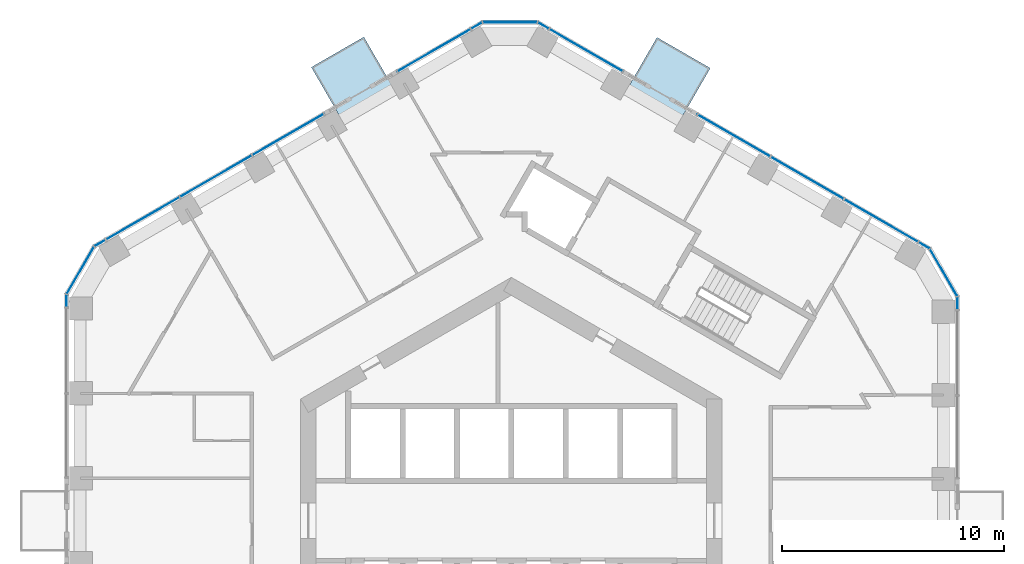
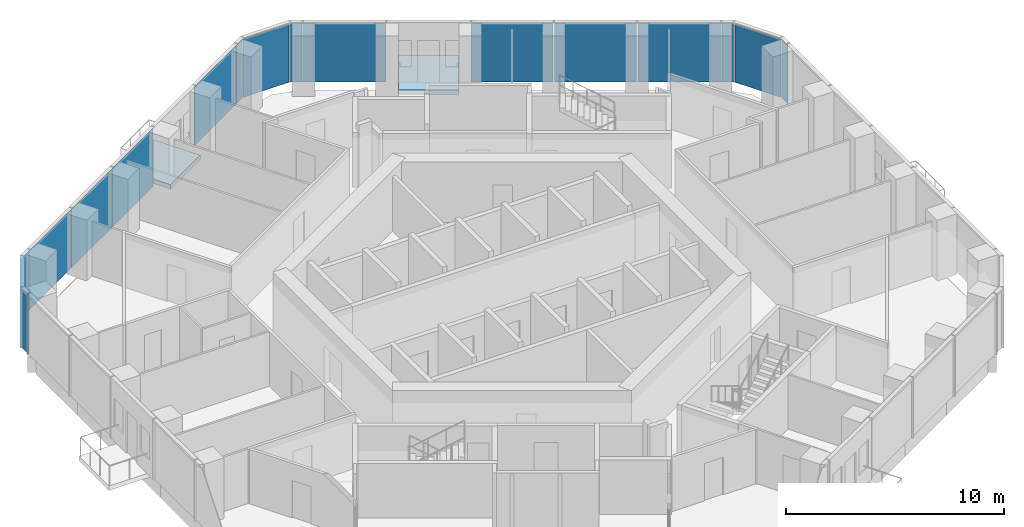
# One storey, part 12 of 20: 17 plates, 2 slabs, 7 elements without a shape of their own.
"""IFC4 building model written with IfcOpenShell, lengths in metres."""

from ifc_helpers import new_model, si_unit, direction, frame, origin, origin_2d, place, context, subcontext, project, spatial, polyline, rectangle, outline, extrude, material, layer, layer_set, type_object, element, aggregate, save


model = new_model("IFC4")

# Units and contexts
model_context = context("Model", 3, precision=1e-05, world=origin(), true_north=direction((0.0, 1.0)))
body_context = subcontext(model_context, "Body", "Model", "MODEL_VIEW")
ifc_project = project(units=[si_unit("LENGTHUNIT", "METRE"), si_unit("AREAUNIT", "SQUARE_METRE"), si_unit("VOLUMEUNIT", "CUBIC_METRE"), si_unit("PLANEANGLEUNIT", "RADIAN"), si_unit("MASSUNIT", "GRAM", prefix="KILO")], contexts=[model_context])

# Site, building, storey
site_placement = place(None, origin())
site = spatial("IfcSite", under=ifc_project, at=site_placement, CompositionType="ELEMENT")
building_placement = place(site_placement, origin())
building = spatial("IfcBuilding", under=site, at=building_placement, Name="Ayvan Gate Tower", CompositionType="ELEMENT")
storey_placement = place(building_placement, frame((0.0, 0.0, 86.5)))
storey = spatial("IfcBuildingStorey", under=building, at=storey_placement, Name="L22", CompositionType="ELEMENT", Elevation=86.5)

# Slabs
ifc_material_1 = material(Name="Concrete C40/50", Category="concrete")
ifc_layer_1 = layer(ifc_material_1, 0.25)
ifc_layer_set_1 = layer_set([ifc_layer_1], Name="Concrete C40/50")
slab_type = type_object("IfcSlabType", Name="Balcony slab 250", PredefinedType="FLOOR", material=ifc_layer_set_1)
slab_1_placement = place(storey_placement, frame((0.0, 0.0, -0.25)))
element("IfcSlab", 1, at=slab_1_placement, inside=storey, type_object=slab_type, Name="Balcony slab BAL-L22-2", PredefinedType="FLOOR", context=body_context, shape_type="SweptSolid", body=[
    extrude(outline(polyline([(-5.287353515625, 19.447265625), (-7.6513671875, 18.08251953125), (-9.013916015625, 20.4423828125), (-6.64990234375, 21.80712890625), (-5.287353515625, 19.447265625)])), origin(), (0.0, 0.0, 1.0), 0.25),
])
slab_2_placement = place(storey_placement, frame((0.0, 0.0, -0.25)))
element("IfcSlab", 2, at=slab_2_placement, inside=storey, type_object=slab_type, Name="Balcony slab BAL-L22-1", PredefinedType="FLOOR", context=body_context, shape_type="SweptSolid", body=[
    extrude(outline(polyline([(7.60400390625, 18.041259765625), (5.204345703125, 19.4267578125), (6.56689453125, 21.78662109375), (8.966552734375, 20.401123046875), (7.60400390625, 18.041259765625)])), origin(), (0.0, 0.0, 1.0), 0.25),
])

# Curtain wall, plate
ifc_material_2 = material(Name="Bronze anodised aluminium", Category="aluminium")
ifc_layer_2 = layer(ifc_material_2, 0.199951171875)
ifc_layer_set_2 = layer_set([ifc_layer_2], Name="Bronze anodised aluminium")
curtain_wall_type_1 = type_object("IfcCurtainWallType", Name="Stick curtain wall CW-1", PredefinedType="NOTDEFINED", material=ifc_layer_set_2)
curtain_wall_1_placement = place(storey_placement, origin())
curtain_wall_1 = element("IfcCurtainWall", 3, at=curtain_wall_1_placement, inside=storey, type_object=curtain_wall_type_1, Name="Stick curtain wall CW-1 L22", PredefinedType="NOTDEFINED")
ifc_material_3 = material(Name="Clear low-iron laminated glass", Category="glass")
ifc_layer_3 = layer(ifc_material_3, 0.028076171875)
ifc_layer_set_3 = layer_set([ifc_layer_3], Name="Clear low-iron laminated glass")
plate_type_1 = type_object("IfcPlateType", Name="Stick curtain wall CW-1 glass panel", PredefinedType="CURTAIN_PANEL", material=ifc_layer_set_3)
plate_1_placement = place(storey_placement, frame((-3.48193359375, 21.21142578125, 0.0), z_axis=(0.0, 0.0, 1.0), x_axis=(-0.866025403784, -0.5, 0.0)))
plate_1 = element("IfcPlate", 4, at=plate_1_placement, type_object=plate_type_1, Name="CW-1 glass panel 1", PredefinedType="CURTAIN_PANEL", context=body_context, shape_type="SweptSolid", body=[
    extrude(rectangle(XDim=3.822998046875, YDim=0.028076171875, at=origin_2d()), origin(), (0.0, 0.0, 1.0), 3.280029296875),
])
aggregate(curtain_wall_1, [plate_1])

# Curtain wall, plates
curtain_wall_2_placement = place(storey_placement, origin())
curtain_wall_2 = element("IfcCurtainWall", 5, at=curtain_wall_2_placement, inside=storey, type_object=curtain_wall_type_1, Name="Stick curtain wall CW-1 L22", PredefinedType="NOTDEFINED")
plate_2_placement = place(storey_placement, frame((-10.0556640625, 17.416015625, 0.0), z_axis=(0.0, 0.0, 1.0), x_axis=(-0.866025403784, -0.5, 0.0)))
plate_2 = element("IfcPlate", 6, at=plate_2_placement, type_object=plate_type_1, Name="CW-1 glass panel 1", PredefinedType="CURTAIN_PANEL", context=body_context, shape_type="SweptSolid", body=[
    extrude(rectangle(XDim=3.7060546875, YDim=0.028076171875, at=origin_2d()), origin(), (0.0, 0.0, 1.0), 3.280029296875),
])
plate_3_placement = place(storey_placement, frame((-13.31689453125, 15.533203125, 0.0), z_axis=(0.0, 0.0, 1.0), x_axis=(-0.866025403784, -0.5, 0.0)))
plate_3 = element("IfcPlate", 7, at=plate_3_placement, type_object=plate_type_1, Name="CW-1 glass panel 2", PredefinedType="CURTAIN_PANEL", context=body_context, shape_type="SweptSolid", body=[
    extrude(rectangle(XDim=3.7060546875, YDim=0.028076171875, at=origin_2d()), origin(), (0.0, 0.0, 1.0), 3.280029296875),
])
plate_4_placement = place(storey_placement, frame((-16.62890625, 13.62109375, 0.0), z_axis=(0.0, 0.0, 1.0), x_axis=(-0.866025403784, -0.5, 0.0)))
plate_4 = element("IfcPlate", 8, at=plate_4_placement, type_object=plate_type_1, Name="CW-1 glass panel 3", PredefinedType="CURTAIN_PANEL", context=body_context, shape_type="SweptSolid", body=[
    extrude(rectangle(XDim=3.822509765625, YDim=0.028076171875, at=origin_2d()), origin(), (0.0, 0.0, 1.0), 3.280029296875),
])
aggregate(curtain_wall_2, [plate_2, plate_3, plate_4])

curtain_wall_3_placement = place(storey_placement, origin())
curtain_wall_3 = element("IfcCurtainWall", 9, at=curtain_wall_3_placement, inside=storey, type_object=curtain_wall_type_1, Name="Stick curtain wall CW-1 L22", PredefinedType="NOTDEFINED")
plate_5_placement = place(storey_placement, frame((16.68359375, 13.520751953125, 0.0), z_axis=(0.0, 0.0, 1.0), x_axis=(-0.866025403784, 0.5, 0.0)))
plate_5 = element("IfcPlate", 10, at=plate_5_placement, type_object=plate_type_1, Name="CW-1 glass panel 1", PredefinedType="CURTAIN_PANEL", context=body_context, shape_type="SweptSolid", body=[
    extrude(rectangle(XDim=3.8330078125, YDim=0.028076171875, at=origin_2d()), origin(), (0.0, 0.0, 1.0), 3.280029296875),
])
plate_6_placement = place(storey_placement, frame((13.34033203125, 15.451171875, 0.0), z_axis=(0.0, 0.0, 1.0), x_axis=(-0.866025403784, 0.5, 0.0)))
plate_6 = element("IfcPlate", 11, at=plate_6_placement, type_object=plate_type_1, Name="CW-1 glass panel 2", PredefinedType="CURTAIN_PANEL", context=body_context, shape_type="SweptSolid", body=[
    extrude(rectangle(XDim=3.76806640625, YDim=0.028076171875, at=origin_2d()), origin(), (0.0, 0.0, 1.0), 3.280029296875),
])
plate_7_placement = place(storey_placement, frame((10.025634765625, 17.364990234375, 0.0), z_axis=(0.0, 0.0, 1.0), x_axis=(-0.866025403784, 0.5, 0.0)))
plate_7 = element("IfcPlate", 12, at=plate_7_placement, type_object=plate_type_1, Name="CW-1 glass panel 3", PredefinedType="CURTAIN_PANEL", context=body_context, shape_type="SweptSolid", body=[
    extrude(rectangle(XDim=3.76708984375, YDim=0.028076171875, at=origin_2d()), origin(), (0.0, 0.0, 1.0), 3.280029296875),
])
aggregate(curtain_wall_3, [plate_5, plate_6, plate_7])

# Curtain wall, plate
curtain_wall_4_placement = place(storey_placement, origin())
curtain_wall_4 = element("IfcCurtainWall", 13, at=curtain_wall_4_placement, inside=storey, type_object=curtain_wall_type_1, Name="Stick curtain wall CW-1 L22", PredefinedType="NOTDEFINED")
plate_8_placement = place(storey_placement, frame((3.36767578125, 21.208984375, 0.0), z_axis=(0.0, 0.0, 1.0), x_axis=(-0.866025403784, 0.5, 0.0)))
plate_8 = element("IfcPlate", 14, at=plate_8_placement, type_object=plate_type_1, Name="CW-1 glass panel 1", PredefinedType="CURTAIN_PANEL", context=body_context, shape_type="SweptSolid", body=[
    extrude(rectangle(XDim=3.8330078125, YDim=0.028076171875, at=origin_2d()), origin(), (0.0, 0.0, 1.0), 3.280029296875),
])
aggregate(curtain_wall_4, [plate_8])

# Curtain wall, plates
ifc_layer_4 = layer(ifc_material_2, 0.199951171875)
ifc_layer_set_4 = layer_set([ifc_layer_4], Name="Bronze anodised aluminium")
curtain_wall_type_2 = type_object("IfcCurtainWallType", Name="Stick curtain wall CW-6", PredefinedType="NOTDEFINED", material=ifc_layer_set_4)
curtain_wall_5_placement = place(storey_placement, origin())
curtain_wall_5 = element("IfcCurtainWall", 15, at=curtain_wall_5_placement, inside=storey, type_object=curtain_wall_type_2, Name="Stick curtain wall CW-6 L22", PredefinedType="NOTDEFINED")
ifc_layer_5 = layer(ifc_material_3, 0.028076171875)
ifc_layer_set_5 = layer_set([ifc_layer_5], Name="Clear low-iron laminated glass")
plate_type_2 = type_object("IfcPlateType", Name="Stick curtain wall CW-6 glass panel", PredefinedType="CURTAIN_PANEL", material=ifc_layer_set_5)
plate_9_placement = place(storey_placement, frame((-18.548095703125, 12.512939453125, 0.0), z_axis=(0.0, 0.0, 1.0), x_axis=(-0.866025403784, -0.5, 0.0)))
plate_9 = element("IfcPlate", 16, at=plate_9_placement, type_object=plate_type_2, Name="CW-6 glass panel 1", PredefinedType="CURTAIN_PANEL", context=body_context, shape_type="SweptSolid", body=[
    extrude(rectangle(XDim=0.550048828125, YDim=0.028076171875, at=origin_2d()), origin(), (0.0, 0.0, 1.0), 3.280029296875),
])
plate_10_placement = place(storey_placement, frame((-19.4296875, 11.2861328125, 0.0), z_axis=(0.0, 0.0, 1.0), x_axis=(-0.5, -0.866025403784, 0.0)))
plate_10 = element("IfcPlate", 17, at=plate_10_placement, type_object=plate_type_2, Name="CW-6 glass panel 2", PredefinedType="CURTAIN_PANEL", context=body_context, shape_type="SweptSolid", body=[
    extrude(rectangle(XDim=2.4365234375, YDim=0.028076171875, at=origin_2d()), origin(), (0.0, 0.0, 1.0), 3.280029296875),
])
plate_11_placement = place(storey_placement, frame((-20.05126953125, 9.909423828125, 0.0), z_axis=(0.0, 0.0, 1.0), x_axis=(0.0, -1.0, 0.0)))
plate_11 = element("IfcPlate", 18, at=plate_11_placement, type_object=plate_type_2, Name="CW-6 glass panel 3", PredefinedType="CURTAIN_PANEL", context=body_context, shape_type="SweptSolid", body=[
    extrude(rectangle(XDim=0.550048828125, YDim=0.028076171875, at=origin_2d()), origin(), (0.0, 0.0, 1.0), 3.280029296875),
])
aggregate(curtain_wall_5, [plate_9, plate_10, plate_11])

curtain_wall_6_placement = place(storey_placement, origin())
curtain_wall_6 = element("IfcCurtainWall", 19, at=curtain_wall_6_placement, inside=storey, type_object=curtain_wall_type_2, Name="Stick curtain wall CW-6 L22", PredefinedType="NOTDEFINED")
plate_12_placement = place(storey_placement, frame((20.110595703125, 9.806640625, 0.0), z_axis=(0.0, 0.0, 1.0), x_axis=(0.0, 1.0, 0.0)))
plate_12 = element("IfcPlate", 20, at=plate_12_placement, type_object=plate_type_2, Name="CW-6 glass panel 1", PredefinedType="CURTAIN_PANEL", context=body_context, shape_type="SweptSolid", body=[
    extrude(rectangle(XDim=0.550048828125, YDim=0.028076171875, at=origin_2d()), origin(), (0.0, 0.0, 1.0), 3.280029296875),
])
plate_13_placement = place(storey_placement, frame((19.489013671875, 11.183349609375, 0.0), z_axis=(0.0, 0.0, 1.0), x_axis=(-0.5, 0.866025403784, 0.0)))
plate_13 = element("IfcPlate", 21, at=plate_13_placement, type_object=plate_type_2, Name="CW-6 glass panel 2", PredefinedType="CURTAIN_PANEL", context=body_context, shape_type="SweptSolid", body=[
    extrude(rectangle(XDim=2.4365234375, YDim=0.028076171875, at=origin_2d()), origin(), (0.0, 0.0, 1.0), 3.280029296875),
])
plate_14_placement = place(storey_placement, frame((18.607421875, 12.41015625, 0.0), z_axis=(0.0, 0.0, 1.0), x_axis=(-0.866025403784, 0.5, 0.0)))
plate_14 = element("IfcPlate", 22, at=plate_14_placement, type_object=plate_type_2, Name="CW-6 glass panel 3", PredefinedType="CURTAIN_PANEL", context=body_context, shape_type="SweptSolid", body=[
    extrude(rectangle(XDim=0.550048828125, YDim=0.028076171875, at=origin_2d()), origin(), (0.0, 0.0, 1.0), 3.280029296875),
])
aggregate(curtain_wall_6, [plate_12, plate_13, plate_14])

curtain_wall_7_placement = place(storey_placement, origin())
curtain_wall_7 = element("IfcCurtainWall", 23, at=curtain_wall_7_placement, inside=storey, type_object=curtain_wall_type_2, Name="Stick curtain wall CW-6 L22", PredefinedType="NOTDEFINED")
plate_15_placement = place(storey_placement, frame((1.44384765625, 22.319580078125, 0.0), z_axis=(0.0, 0.0, 1.0), x_axis=(-0.866025403784, 0.5, 0.0)))
plate_15 = element("IfcPlate", 24, at=plate_15_placement, type_object=plate_type_2, Name="CW-6 glass panel 1", PredefinedType="CURTAIN_PANEL", context=body_context, shape_type="SweptSolid", body=[
    extrude(rectangle(XDim=0.550048828125, YDim=0.028076171875, at=origin_2d()), origin(), (0.0, 0.0, 1.0), 3.280029296875),
])
plate_16_placement = place(storey_placement, frame((-0.059326171875, 22.4697265625, 0.0), z_axis=(0.0, 0.0, 1.0), x_axis=(-1.0, 0.0, 0.0)))
plate_16 = element("IfcPlate", 25, at=plate_16_placement, type_object=plate_type_2, Name="CW-6 glass panel 2", PredefinedType="CURTAIN_PANEL", context=body_context, shape_type="SweptSolid", body=[
    extrude(rectangle(XDim=2.4365234375, YDim=0.028076171875, at=origin_2d()), origin(), (0.0, 0.0, 1.0), 3.280029296875),
])
plate_17_placement = place(storey_placement, frame((-1.5625, 22.319580078125, 0.0), z_axis=(0.0, 0.0, 1.0), x_axis=(-0.866025403784, -0.5, 0.0)))
plate_17 = element("IfcPlate", 26, at=plate_17_placement, type_object=plate_type_2, Name="CW-6 glass panel 3", PredefinedType="CURTAIN_PANEL", context=body_context, shape_type="SweptSolid", body=[
    extrude(rectangle(XDim=0.550048828125, YDim=0.028076171875, at=origin_2d()), origin(), (0.0, 0.0, 1.0), 3.280029296875),
])
aggregate(curtain_wall_7, [plate_15, plate_16, plate_17])

save(model, "model.ifc")
